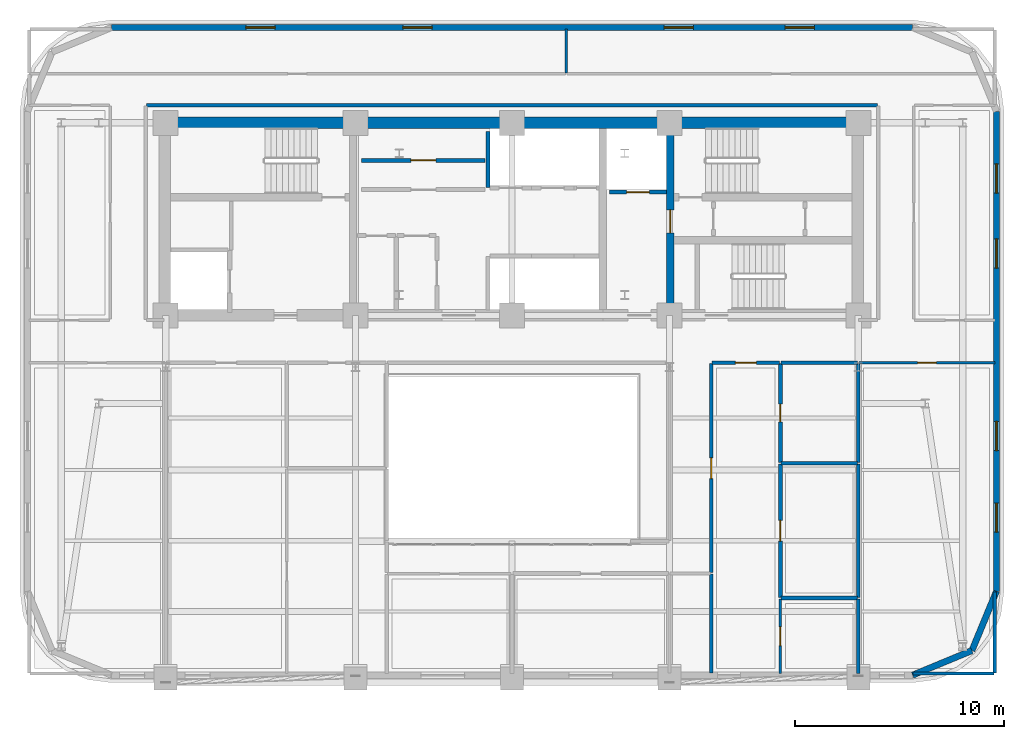
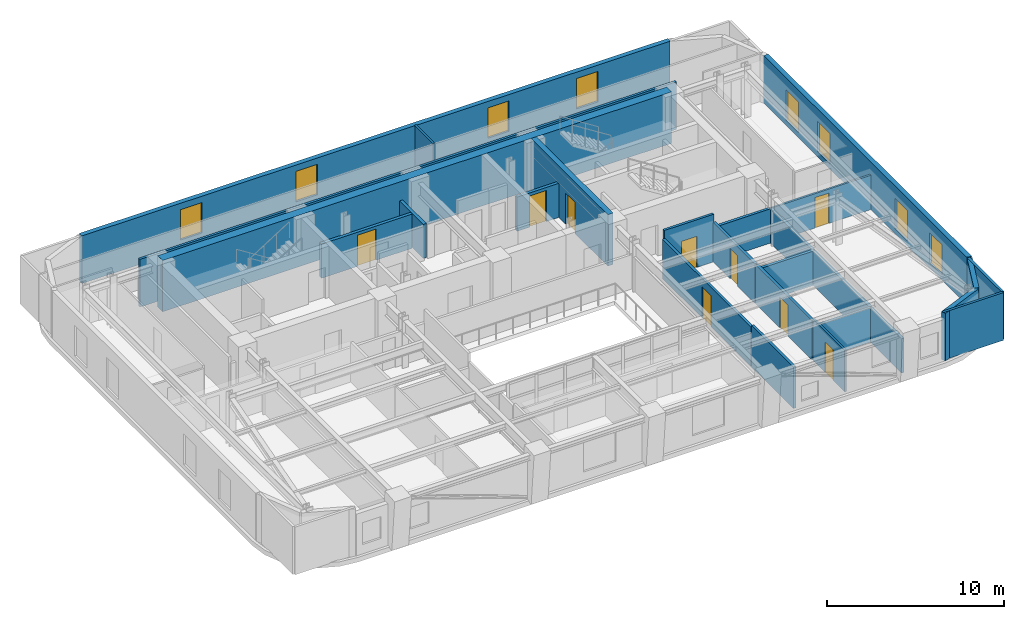
# One storey, part 8 of 12: 26 walls, 9 doors, 8 windows, 17 openings.
"""IFC4 building model written with IfcOpenShell, lengths in metres."""

from ifc_helpers import new_model, si_unit, direction, frame, frame_2d, origin, place, context, subcontext, project, spatial, rectangle, extrude, material, layer, layer_set, type_object, element, fill, save


model = new_model("IFC4")

# Units and contexts
model_context = context("Model", 3, precision=1e-05, world=origin(), true_north=direction((0.0, 1.0)))
body_context = subcontext(model_context, "Body", "Model", "MODEL_VIEW")
ifc_project = project(units=[si_unit("LENGTHUNIT", "METRE"), si_unit("AREAUNIT", "SQUARE_METRE"), si_unit("VOLUMEUNIT", "CUBIC_METRE"), si_unit("PLANEANGLEUNIT", "RADIAN"), si_unit("MASSUNIT", "GRAM", prefix="KILO")], contexts=[model_context])

# Site, building, storey
site_placement = place(None, origin())
site = spatial("IfcSite", under=ifc_project, at=site_placement, CompositionType="ELEMENT")
building_placement = place(site_placement, origin())
building = spatial("IfcBuilding", under=site, at=building_placement, Name="Zarnavel Station Tower", CompositionType="ELEMENT")
storey_placement = place(building_placement, frame((0.0, 0.0, 173.199951171875)))
storey = spatial("IfcBuildingStorey", under=building, at=storey_placement, Name="L47", CompositionType="ELEMENT", Elevation=173.199951171875)

# Wall, opening, door
ifc_material_1 = material(Name="Concrete C50/60", Category="concrete")
ifc_layer_1 = layer(ifc_material_1, 0.35009765625)
ifc_layer_set_1 = layer_set([ifc_layer_1], Name="CW_350")
wall_type_1 = type_object("IfcWallType", Name="CW_350", PredefinedType="SHEAR", material=ifc_layer_set_1)
wall_1_placement = place(storey_placement, frame((36.3798828125, 28.094970703125, 0.0), z_axis=(0.0, 0.0, 1.0), x_axis=(0.0, 1.0, 0.0)))
wall_1 = element("IfcWall", 1, at=wall_1_placement, inside=storey, type_object=wall_type_1, Name="L47 Rear Core Shear Wall DIV-S2", PredefinedType="SHEAR", context=body_context, shape_type="SweptSolid", body=[
    extrude(rectangle(XDim=8.679931640625, YDim=0.35009765625, at=frame_2d((4.33984375, 0.0))), origin(), (0.0, 0.0, 1.0), 3.550048828125),
])
opening_1_placement = place(wall_1_placement, frame((3.68505859375, 0.0, 0.0)))
opening_1 = element("IfcOpeningElement", 2, at=opening_1_placement, cuts=wall_1, Name="Opening FD01", PredefinedType="OPENING", context=body_context, shape_type="SweptSolid", body=[
    extrude(rectangle(XDim=1.10009765625, YDim=2.14990234375, at=frame_2d((0.550048828125, 1.074951171875))), frame((0.0, 0.18505859375, 0.0), z_axis=(0.0, -1.0, 0.0), x_axis=(1.0, 0.0, 0.0)), (0.0, 0.0, 1.0), 0.3701171875),
])
ifc_material_2 = material(Name="Painted Galvanised Steel and Hardwood Leaf", Category="steel")
door_type_1 = type_object("IfcDoorType", Name="ID_STAIR_1100", OperationType="NOTDEFINED", PredefinedType="DOOR", material=ifc_material_2)
door_1_placement = place(opening_1_placement, origin())
door_1 = element("IfcDoor", 3, at=door_1_placement, inside=storey, type_object=door_type_1, Name="L47 East Stair Vestibule Fire Door", OperationType="SINGLE_SWING_LEFT", OverallHeight=2.14990234375, OverallWidth=1.10009765625, PredefinedType="DOOR", context=body_context, shape_type="SweptSolid", body=[
    extrude(rectangle(XDim=1.10009765625, YDim=2.14990234375, at=frame_2d((0.550048828125, 1.074951171875))), frame((0.0, 0.02490234375, 0.0), z_axis=(0.0, -1.0, 0.0), x_axis=(1.0, 0.0, 0.0)), (0.0, 0.0, 1.0), 0.050048828125),
])
fill(opening_1, door_1)

# Walls
ifc_material_3 = material(Name="Concrete C50/60", Category="concrete")
ifc_layer_2 = layer(ifc_material_3, 0.550048828125)
ifc_layer_set_2 = layer_set([ifc_layer_2], Name="CW_550")
wall_type_2 = type_object("IfcWallType", Name="CW_550", PredefinedType="SHEAR", material=ifc_layer_set_2)
wall_2_placement = place(storey_placement, frame((12.14990234375, 37.050048828125, 0.0), z_axis=(0.0, 0.0, 1.0), x_axis=(1.0, 0.0, 0.0)))
element("IfcWall", 4, at=wall_2_placement, inside=storey, type_object=wall_type_2, Name="L47 Rear Core Shear Wall N", PredefinedType="SHEAR", context=body_context, shape_type="SweptSolid", body=[
    extrude(rectangle(XDim=33.22998046875, YDim=0.550048828125, at=frame_2d((16.614990234375, 0.0))), origin(), (0.0, 0.0, 1.0), 3.550048828125),
])
ifc_material_4 = material(Name="Precast concrete C45/55 (Dark Basalt Finish)", Category="masonry")
ifc_layer_3 = layer(ifc_material_4, 0.300048828125)
ifc_layer_set_3 = layer_set([ifc_layer_3], Name="EW_BASALT_300")
wall_type_3 = type_object("IfcWallType", Name="EW_BASALT_300", PredefinedType="SOLIDWALL", material=ifc_layer_set_3)
wall_3_placement = place(storey_placement, frame((50.842529296875, 11.75732421875, 0.0), z_axis=(0.0, 0.0, 1.0), x_axis=(-0.92389884758, -0.382636798336, 0.0)))
element("IfcWall", 5, at=wall_3_placement, inside=storey, type_object=wall_type_3, Name="L47 Exterior Basalt Masonry Frame Wall 01", PredefinedType="SOLIDWALL", context=body_context, shape_type="SweptSolid", body=[
    extrude(rectangle(XDim=3.07666015625, YDim=0.300048828125, at=frame_2d((1.538330078125, 0.0))), origin(), (0.0, 0.0, 1.0), 3.2900390625),
])
wall_4_placement = place(storey_placement, frame((52.02001953125, 14.60009765625, 0.0), z_axis=(0.0, 0.0, 1.0), x_axis=(-0.382676475685, -0.923882414032, 0.0)))
element("IfcWall", 6, at=wall_4_placement, inside=storey, type_object=wall_type_3, Name="L47 Exterior Basalt Masonry Frame Wall 02", PredefinedType="SOLIDWALL", context=body_context, shape_type="SweptSolid", body=[
    extrude(rectangle(XDim=3.076904296875, YDim=0.300048828125, at=frame_2d((1.53857421875, 0.0))), origin(), (0.0, 0.0, 1.0), 3.2900390625),
])

# Wall, openings, windows
wall_5_placement = place(storey_placement, frame((52.02001953125, 37.60009765625, 0.0), z_axis=(0.0, 0.0, 1.0), x_axis=(0.0, -1.0, 0.0)))
wall_5 = element("IfcWall", 7, at=wall_5_placement, inside=storey, type_object=wall_type_3, Name="L47 Exterior Basalt Masonry Frame Wall 03", PredefinedType="SOLIDWALL", context=body_context, shape_type="SweptSolid", body=[
    extrude(rectangle(XDim=23.0, YDim=0.300048828125, at=frame_2d((11.5, 0.0))), origin(), (0.0, 0.0, 1.0), 3.2900390625),
])
opening_2_placement = place(wall_5_placement, frame((2.51318359375, 0.0, 0.340087890625)))
opening_2 = element("IfcOpeningElement", 8, at=opening_2_placement, cuts=wall_5, Name="Opening WN04", PredefinedType="OPENING", context=body_context, shape_type="SweptSolid", body=[
    extrude(rectangle(XDim=1.39990234375, YDim=2.10009765625, at=frame_2d((0.699951171875, 1.050048828125))), frame((0.0, 0.159912109375, 0.0), z_axis=(0.0, -1.0, 0.0), x_axis=(1.0, 0.0, 0.0)), (0.0, 0.0, 1.0), 0.320068359375),
])
opening_3_placement = place(wall_5_placement, frame((6.106689453125, 0.0, 0.340087890625)))
opening_3 = element("IfcOpeningElement", 9, at=opening_3_placement, cuts=wall_5, Name="Opening WN04", PredefinedType="OPENING", context=body_context, shape_type="SweptSolid", body=[
    extrude(rectangle(XDim=1.39990234375, YDim=2.10009765625, at=frame_2d((0.699951171875, 1.050048828125))), frame((0.0, 0.159912109375, 0.0), z_axis=(0.0, -1.0, 0.0), x_axis=(1.0, 0.0, 0.0)), (0.0, 0.0, 1.0), 0.320068359375),
])
opening_4_placement = place(wall_5_placement, frame((14.860107421875, 0.0, 0.340087890625)))
opening_4 = element("IfcOpeningElement", 10, at=opening_4_placement, cuts=wall_5, Name="Opening WN04", PredefinedType="OPENING", context=body_context, shape_type="SweptSolid", body=[
    extrude(rectangle(XDim=1.39990234375, YDim=2.10009765625, at=frame_2d((0.699951171875, 1.050048828125))), frame((0.0, 0.159912109375, 0.0), z_axis=(0.0, -1.0, 0.0), x_axis=(1.0, 0.0, 0.0)), (0.0, 0.0, 1.0), 0.320068359375),
])
opening_5_placement = place(wall_5_placement, frame((18.77001953125, 0.0, 0.340087890625)))
opening_5 = element("IfcOpeningElement", 11, at=opening_5_placement, cuts=wall_5, Name="Opening WN04", PredefinedType="OPENING", context=body_context, shape_type="SweptSolid", body=[
    extrude(rectangle(XDim=1.39990234375, YDim=2.10009765625, at=frame_2d((0.699951171875, 1.050048828125))), frame((0.0, 0.159912109375, 0.0), z_axis=(0.0, -1.0, 0.0), x_axis=(1.0, 0.0, 0.0)), (0.0, 0.0, 1.0), 0.320068359375),
])
ifc_material_5 = material(Name="Thermally Broken Black Aluminium and Low-E Dark Glass", Category="aluminium")
window_type = type_object("IfcWindowType", Name="WN_1400x2100", PartitioningType="DOUBLE_PANEL_VERTICAL", PredefinedType="WINDOW", material=ifc_material_5)
window_1_placement = place(opening_2_placement, origin())
window_1 = element("IfcWindow", 12, at=window_1_placement, inside=storey, type_object=window_type, Name="L47 Recessed Facade Window 01", OverallHeight=2.10009765625, OverallWidth=1.39990234375, PartitioningType="SINGLE_PANEL", PredefinedType="WINDOW", context=body_context, shape_type="SweptSolid", body=[
    extrude(rectangle(XDim=1.39990234375, YDim=2.10009765625, at=frame_2d((0.699951171875, 1.050048828125))), frame((0.0, 0.030029296875, 0.0), z_axis=(0.0, -1.0, 0.0), x_axis=(1.0, 0.0, 0.0)), (0.0, 0.0, 1.0), 0.06005859375),
])
fill(opening_2, window_1)
window_2_placement = place(opening_3_placement, origin())
window_2 = element("IfcWindow", 13, at=window_2_placement, inside=storey, type_object=window_type, Name="L47 Recessed Facade Window 02", OverallHeight=2.10009765625, OverallWidth=1.39990234375, PartitioningType="SINGLE_PANEL", PredefinedType="WINDOW", context=body_context, shape_type="SweptSolid", body=[
    extrude(rectangle(XDim=1.39990234375, YDim=2.10009765625, at=frame_2d((0.699951171875, 1.050048828125))), frame((0.0, 0.030029296875, 0.0), z_axis=(0.0, -1.0, 0.0), x_axis=(1.0, 0.0, 0.0)), (0.0, 0.0, 1.0), 0.06005859375),
])
fill(opening_3, window_2)
window_3_placement = place(opening_4_placement, origin())
window_3 = element("IfcWindow", 14, at=window_3_placement, inside=storey, type_object=window_type, Name="L47 Recessed Facade Window 03", OverallHeight=2.10009765625, OverallWidth=1.39990234375, PartitioningType="SINGLE_PANEL", PredefinedType="WINDOW", context=body_context, shape_type="SweptSolid", body=[
    extrude(rectangle(XDim=1.39990234375, YDim=2.10009765625, at=frame_2d((0.699951171875, 1.050048828125))), frame((0.0, 0.030029296875, 0.0), z_axis=(0.0, -1.0, 0.0), x_axis=(1.0, 0.0, 0.0)), (0.0, 0.0, 1.0), 0.06005859375),
])
fill(opening_4, window_3)
window_4_placement = place(opening_5_placement, origin())
window_4 = element("IfcWindow", 15, at=window_4_placement, inside=storey, type_object=window_type, Name="L47 Recessed Facade Window 04", OverallHeight=2.10009765625, OverallWidth=1.39990234375, PartitioningType="SINGLE_PANEL", PredefinedType="WINDOW", context=body_context, shape_type="SweptSolid", body=[
    extrude(rectangle(XDim=1.39990234375, YDim=2.10009765625, at=frame_2d((0.699951171875, 1.050048828125))), frame((0.0, 0.030029296875, 0.0), z_axis=(0.0, -1.0, 0.0), x_axis=(1.0, 0.0, 0.0)), (0.0, 0.0, 1.0), 0.06005859375),
])
fill(opening_5, window_4)

wall_6_placement = place(storey_placement, frame((9.60009765625, 41.6201171875, 0.0), z_axis=(0.0, 0.0, 1.0), x_axis=(1.0, 0.0, 0.0)))
wall_6 = element("IfcWall", 16, at=wall_6_placement, inside=storey, type_object=wall_type_3, Name="L47 Exterior Basalt Masonry Frame Wall 06", PredefinedType="SOLIDWALL", context=body_context, shape_type="SweptSolid", body=[
    extrude(rectangle(XDim=38.39990234375, YDim=0.300048828125, at=frame_2d((19.199951171875, 0.0))), origin(), (0.0, 0.0, 1.0), 3.2900390625),
])
opening_6_placement = place(wall_6_placement, frame((6.44677734375, 0.0, 0.75)))
opening_6 = element("IfcOpeningElement", 17, at=opening_6_placement, cuts=wall_6, Name="Opening WN04", PredefinedType="OPENING", context=body_context, shape_type="SweptSolid", body=[
    extrude(rectangle(XDim=1.39990234375, YDim=2.10009765625, at=frame_2d((0.699951171875, 1.050048828125))), frame((0.0, 0.159912109375, 0.0), z_axis=(0.0, -1.0, 0.0), x_axis=(1.0, 0.0, 0.0)), (0.0, 0.0, 1.0), 0.320068359375),
])
opening_7_placement = place(wall_6_placement, frame((13.973388671875, 0.0, 0.75)))
opening_7 = element("IfcOpeningElement", 18, at=opening_7_placement, cuts=wall_6, Name="Opening WN04", PredefinedType="OPENING", context=body_context, shape_type="SweptSolid", body=[
    extrude(rectangle(XDim=1.39990234375, YDim=2.10009765625, at=frame_2d((0.699951171875, 1.050048828125))), frame((0.0, 0.159912109375, 0.0), z_axis=(0.0, -1.0, 0.0), x_axis=(1.0, 0.0, 0.0)), (0.0, 0.0, 1.0), 0.320068359375),
])
opening_8_placement = place(wall_6_placement, frame((26.493408203125, 0.0, 0.75)))
opening_8 = element("IfcOpeningElement", 19, at=opening_8_placement, cuts=wall_6, Name="Opening WN04", PredefinedType="OPENING", context=body_context, shape_type="SweptSolid", body=[
    extrude(rectangle(XDim=1.39990234375, YDim=2.10009765625, at=frame_2d((0.699951171875, 1.050048828125))), frame((0.0, 0.159912109375, 0.0), z_axis=(0.0, -1.0, 0.0), x_axis=(1.0, 0.0, 0.0)), (0.0, 0.0, 1.0), 0.320068359375),
])
opening_9_placement = place(wall_6_placement, frame((32.28662109375, 0.0, 0.75)))
opening_9 = element("IfcOpeningElement", 20, at=opening_9_placement, cuts=wall_6, Name="Opening WN04", PredefinedType="OPENING", context=body_context, shape_type="SweptSolid", body=[
    extrude(rectangle(XDim=1.39990234375, YDim=2.10009765625, at=frame_2d((0.699951171875, 1.050048828125))), frame((0.0, 0.159912109375, 0.0), z_axis=(0.0, -1.0, 0.0), x_axis=(1.0, 0.0, 0.0)), (0.0, 0.0, 1.0), 0.320068359375),
])
window_5_placement = place(opening_6_placement, origin())
window_5 = element("IfcWindow", 21, at=window_5_placement, inside=storey, type_object=window_type, Name="L47 Recessed Facade Window 01", OverallHeight=2.10009765625, OverallWidth=1.39990234375, PartitioningType="SINGLE_PANEL", PredefinedType="WINDOW", context=body_context, shape_type="SweptSolid", body=[
    extrude(rectangle(XDim=1.39990234375, YDim=2.10009765625, at=frame_2d((0.699951171875, 1.050048828125))), frame((0.0, 0.030029296875, 0.0), z_axis=(0.0, -1.0, 0.0), x_axis=(1.0, 0.0, 0.0)), (0.0, 0.0, 1.0), 0.06005859375),
])
fill(opening_6, window_5)
window_6_placement = place(opening_7_placement, origin())
window_6 = element("IfcWindow", 22, at=window_6_placement, inside=storey, type_object=window_type, Name="L47 Recessed Facade Window 02", OverallHeight=2.10009765625, OverallWidth=1.39990234375, PartitioningType="SINGLE_PANEL", PredefinedType="WINDOW", context=body_context, shape_type="SweptSolid", body=[
    extrude(rectangle(XDim=1.39990234375, YDim=2.10009765625, at=frame_2d((0.699951171875, 1.050048828125))), frame((0.0, 0.030029296875, 0.0), z_axis=(0.0, -1.0, 0.0), x_axis=(1.0, 0.0, 0.0)), (0.0, 0.0, 1.0), 0.06005859375),
])
fill(opening_7, window_6)
window_7_placement = place(opening_8_placement, origin())
window_7 = element("IfcWindow", 23, at=window_7_placement, inside=storey, type_object=window_type, Name="L47 Recessed Facade Window 03", OverallHeight=2.10009765625, OverallWidth=1.39990234375, PartitioningType="SINGLE_PANEL", PredefinedType="WINDOW", context=body_context, shape_type="SweptSolid", body=[
    extrude(rectangle(XDim=1.39990234375, YDim=2.10009765625, at=frame_2d((0.699951171875, 1.050048828125))), frame((0.0, 0.030029296875, 0.0), z_axis=(0.0, -1.0, 0.0), x_axis=(1.0, 0.0, 0.0)), (0.0, 0.0, 1.0), 0.06005859375),
])
fill(opening_8, window_7)
window_8_placement = place(opening_9_placement, origin())
window_8 = element("IfcWindow", 24, at=window_8_placement, inside=storey, type_object=window_type, Name="L47 Recessed Facade Window 04", OverallHeight=2.10009765625, OverallWidth=1.39990234375, PartitioningType="SINGLE_PANEL", PredefinedType="WINDOW", context=body_context, shape_type="SweptSolid", body=[
    extrude(rectangle(XDim=1.39990234375, YDim=2.10009765625, at=frame_2d((0.699951171875, 1.050048828125))), frame((0.0, 0.030029296875, 0.0), z_axis=(0.0, -1.0, 0.0), x_axis=(1.0, 0.0, 0.0)), (0.0, 0.0, 1.0), 0.06005859375),
])
fill(opening_9, window_8)

# Wall, opening, door
ifc_material_6 = material(Name="Gypsum Twin-Stud Acoustic Fire Partition", Category="concrete")
ifc_layer_4 = layer(ifc_material_6, 0.159912109375)
ifc_layer_set_4 = layer_set([ifc_layer_4], Name="PT_DEMISE_160")
wall_type_4 = type_object("IfcWallType", Name="PT_DEMISE_160", PredefinedType="PARTITIONING", material=ifc_layer_set_4)
wall_7_placement = place(storey_placement, frame((38.389892578125, 25.550048828125, 0.0), z_axis=(0.0, 0.0, 1.0), x_axis=(1.0, 0.0, 0.0)))
wall_7 = element("IfcWall", 25, at=wall_7_placement, inside=storey, type_object=wall_type_4, Name="L47 Partition COR-S-UE1LV", PredefinedType="PARTITIONING", context=body_context, shape_type="SweptSolid", body=[
    extrude(rectangle(XDim=3.233154296875, YDim=0.159912109375, at=frame_2d((1.61669921875, 0.0))), origin(), (0.0, 0.0, 1.0), 3.2900390625),
])
opening_10_placement = place(wall_7_placement, frame((1.116455078125, 0.0, 0.0)))
opening_10 = element("IfcOpeningElement", 26, at=opening_10_placement, cuts=wall_7, Name="Opening FD02", PredefinedType="OPENING", context=body_context, shape_type="SweptSolid", body=[
    extrude(rectangle(XDim=1.0, YDim=2.14990234375, at=frame_2d((0.5, 1.074951171875))), frame((0.0, 0.08984375, 0.0), z_axis=(0.0, -1.0, 0.0), x_axis=(1.0, 0.0, 0.0)), (0.0, 0.0, 1.0), 0.179931640625),
])
ifc_material_7 = material(Name="Painted Galvanised Steel and Hardwood Leaf", Category="steel")
door_type_2 = type_object("IfcDoorType", Name="ID_ENTRY_1000", OperationType="NOTDEFINED", PredefinedType="DOOR", material=ifc_material_7)
door_2_placement = place(opening_10_placement, origin())
door_2 = element("IfcDoor", 27, at=door_2_placement, inside=storey, type_object=door_type_2, Name="L47 Door COR-S-UE1LV", OperationType="SINGLE_SWING_LEFT", OverallHeight=2.14990234375, OverallWidth=1.0, PredefinedType="DOOR", context=body_context, shape_type="SweptSolid", body=[
    extrude(rectangle(XDim=1.0, YDim=2.14990234375, at=frame_2d((0.5, 1.074951171875))), frame((0.0, 0.02490234375, 0.0), z_axis=(0.0, -1.0, 0.0), x_axis=(1.0, 0.0, 0.0)), (0.0, 0.0, 1.0), 0.050048828125),
])
fill(opening_10, door_2)

wall_8_placement = place(storey_placement, frame((38.35009765625, 15.489990234375, 0.0), z_axis=(0.0, 0.0, 1.0), x_axis=(0.0, 1.0, 0.0)))
wall_8 = element("IfcWall", 28, at=wall_8_placement, inside=storey, type_object=wall_type_4, Name="L47 Partition COR-AE-UE1LV", PredefinedType="PARTITIONING", context=body_context, shape_type="SweptSolid", body=[
    extrude(rectangle(XDim=10.02001953125, YDim=0.159912109375, at=frame_2d((5.010009765625, 0.0))), origin(), (0.0, 0.0, 1.0), 2.719970703125),
])
opening_11_placement = place(wall_8_placement, frame((4.510009765625, 0.0, 0.0)))
opening_11 = element("IfcOpeningElement", 29, at=opening_11_placement, cuts=wall_8, Name="Opening FD02", PredefinedType="OPENING", context=body_context, shape_type="SweptSolid", body=[
    extrude(rectangle(XDim=1.0, YDim=2.14990234375, at=frame_2d((0.5, 1.074951171875))), frame((0.0, 0.08984375, 0.0), z_axis=(0.0, -1.0, 0.0), x_axis=(1.0, 0.0, 0.0)), (0.0, 0.0, 1.0), 0.179931640625),
])
door_3_placement = place(opening_11_placement, origin())
door_3 = element("IfcDoor", 30, at=door_3_placement, inside=storey, type_object=door_type_2, Name="L47 Door COR-AE-UE1LV", OperationType="SINGLE_SWING_LEFT", OverallHeight=2.14990234375, OverallWidth=1.0, PredefinedType="DOOR", context=body_context, shape_type="SweptSolid", body=[
    extrude(rectangle(XDim=1.0, YDim=2.14990234375, at=frame_2d((0.5, 1.074951171875))), frame((0.0, 0.02490234375, 0.0), z_axis=(0.0, -1.0, 0.0), x_axis=(1.0, 0.0, 0.0)), (0.0, 0.0, 1.0), 0.050048828125),
])
fill(opening_11, door_3)

# Walls
wall_9_placement = place(storey_placement, frame((45.39990234375, 10.659912109375, 0.0), z_axis=(0.0, 0.0, 1.0), x_axis=(0.0, 1.0, 0.0)))
element("IfcWall", 31, at=wall_9_placement, inside=storey, type_object=wall_type_4, Name="L47 Partition UE1B1-L47TEA", PredefinedType="PARTITIONING", context=body_context, shape_type="SweptSolid", body=[
    extrude(rectangle(XDim=3.572998046875, YDim=0.159912109375, at=frame_2d((1.78662109375, 0.0))), origin(), (0.0, 0.0, 1.0), 2.3701171875),
])
wall_10_placement = place(storey_placement, frame((11.280029296875, 37.89990234375, 0.0), z_axis=(0.0, 0.0, 1.0), x_axis=(1.0, 0.0, 0.0)))
element("IfcWall", 32, at=wall_10_placement, inside=storey, type_object=wall_type_4, Name="L47 Enclosure Wall COR-N", PredefinedType="PARTITIONING", context=body_context, shape_type="SweptSolid", body=[
    extrude(rectangle(XDim=35.0400390625, YDim=0.159912109375, at=frame_2d((17.52001953125, 0.0))), origin(), (0.0, 0.0, 1.0), 3.2900390625),
])
wall_11_placement = place(storey_placement, frame((38.35009765625, 10.68994140625, 0.0), z_axis=(0.0, 0.0, 1.0), x_axis=(0.0, 1.0, 0.0)))
element("IfcWall", 33, at=wall_11_placement, inside=storey, type_object=wall_type_4, Name="L47 Enclosure Wall UE1LV", PredefinedType="PARTITIONING", context=body_context, shape_type="SweptSolid", body=[
    extrude(rectangle(XDim=4.72998046875, YDim=0.159912109375, at=frame_2d((2.364990234375, 0.0))), origin(), (0.0, 0.0, 1.0), 2.880126953125),
])
wall_12_placement = place(storey_placement, frame((48.030029296875, 10.659912109375, 0.0), z_axis=(0.0, 0.0, 1.0), x_axis=(1.0, 0.0, 0.0)))
element("IfcWall", 34, at=wall_12_placement, inside=storey, type_object=wall_type_4, Name="L47 Enclosure Wall L47TEA", PredefinedType="PARTITIONING", context=body_context, shape_type="SweptSolid", body=[
    extrude(rectangle(XDim=3.8798828125, YDim=0.159912109375, at=frame_2d((1.93994140625, 0.0))), origin(), (0.0, 0.0, 1.0), 3.2900390625),
])
wall_13_placement = place(storey_placement, frame((51.93994140625, 10.68994140625, 0.0), z_axis=(0.0, 0.0, 1.0), x_axis=(0.0, 1.0, 0.0)))
element("IfcWall", 35, at=wall_13_placement, inside=storey, type_object=wall_type_4, Name="L47 Enclosure Wall L47TEA", PredefinedType="PARTITIONING", context=body_context, shape_type="SweptSolid", body=[
    extrude(rectangle(XDim=3.880126953125, YDim=0.159912109375, at=frame_2d((1.93994140625, 0.0))), origin(), (0.0, 0.0, 1.0), 3.2900390625),
])

# Wall, opening, door
ifc_material_8 = material(Name="Gypsum Metal-Stud Interior Partition", Category="concrete")
ifc_layer_5 = layer(ifc_material_8, 0.1201171875)
ifc_layer_set_5 = layer_set([ifc_layer_5], Name="PT_ROOM_120")
wall_type_5 = type_object("IfcWallType", Name="PT_ROOM_120", PredefinedType="PARTITIONING", material=ifc_layer_set_5)
wall_14_placement = place(storey_placement, frame((45.43994140625, 25.550048828125, 0.0), z_axis=(0.0, 0.0, 1.0), x_axis=(1.0, 0.0, 0.0)))
wall_14 = element("IfcWall", 36, at=wall_14_placement, inside=storey, type_object=wall_type_5, Name="L47 Partition COR-S-L47TEA", PredefinedType="PARTITIONING", context=body_context, shape_type="SweptSolid", body=[
    extrude(rectangle(XDim=6.5, YDim=0.1201171875, at=frame_2d((3.25, 0.0))), origin(), (0.0, 0.0, 1.0), 2.3701171875),
])
opening_12_placement = place(wall_14_placement, frame((2.800048828125, 0.0, 0.0)))
opening_12 = element("IfcOpeningElement", 37, at=opening_12_placement, cuts=wall_14, Name="Opening ID01", PredefinedType="OPENING", context=body_context, shape_type="SweptSolid", body=[
    extrude(rectangle(XDim=0.89990234375, YDim=2.10009765625, at=frame_2d((0.449951171875, 1.050048828125))), frame((0.0, 0.070068359375, 0.0), z_axis=(0.0, -1.0, 0.0), x_axis=(1.0, 0.0, 0.0)), (0.0, 0.0, 1.0), 0.14013671875),
])
ifc_material_9 = material(Name="Painted Galvanised Steel and Hardwood Leaf", Category="steel")
door_type_3 = type_object("IfcDoorType", Name="ID_ROOM_900", OperationType="NOTDEFINED", PredefinedType="DOOR", material=ifc_material_9)
door_4_placement = place(opening_12_placement, origin())
door_4 = element("IfcDoor", 38, at=door_4_placement, inside=storey, type_object=door_type_3, Name="L47 Door COR-S-L47TEA", OperationType="SINGLE_SWING_RIGHT", OverallHeight=2.10009765625, OverallWidth=0.89990234375, PredefinedType="DOOR", context=body_context, shape_type="SweptSolid", body=[
    extrude(rectangle(XDim=0.89990234375, YDim=2.10009765625, at=frame_2d((0.449951171875, 1.050048828125))), frame((0.0, 0.02490234375, 0.0), z_axis=(0.0, -1.0, 0.0), x_axis=(1.0, 0.0, 0.0)), (0.0, 0.0, 1.0), 0.050048828125),
])
fill(opening_12, door_4)

# Wall
wall_15_placement = place(storey_placement, frame((31.39990234375, 39.43994140625, 0.0), z_axis=(0.0, 0.0, 1.0), x_axis=(0.0, 1.0, 0.0)))
element("IfcWall", 39, at=wall_15_placement, inside=storey, type_object=wall_type_5, Name="L47 Partition NGYM-NBRD", PredefinedType="PARTITIONING", context=body_context, shape_type="SweptSolid", body=[
    extrude(rectangle(XDim=2.10009765625, YDim=0.1201171875, at=frame_2d((1.050048828125, 0.0))), origin(), (0.0, 0.0, 1.0), 3.2900390625),
])

# Wall, opening, door
wall_16_placement = place(storey_placement, frame((41.6630859375, 10.659912109375, 0.0), z_axis=(0.0, 0.0, 1.0), x_axis=(0.0, 1.0, 0.0)))
wall_16 = element("IfcWall", 40, at=wall_16_placement, inside=storey, type_object=wall_type_5, Name="L47 Partition UE1LV-UE1B1", PredefinedType="PARTITIONING", context=body_context, shape_type="SweptSolid", body=[
    extrude(rectangle(XDim=3.572998046875, YDim=0.1201171875, at=frame_2d((1.78662109375, 0.0))), origin(), (0.0, 0.0, 1.0), 2.880126953125),
])
opening_13_placement = place(wall_16_placement, frame((1.33642578125, 0.0, 0.0)))
opening_13 = element("IfcOpeningElement", 41, at=opening_13_placement, cuts=wall_16, Name="Opening ID01", PredefinedType="OPENING", context=body_context, shape_type="SweptSolid", body=[
    extrude(rectangle(XDim=0.89990234375, YDim=2.10009765625, at=frame_2d((0.449951171875, 1.050048828125))), frame((0.0, 0.070068359375, 0.0), z_axis=(0.0, -1.0, 0.0), x_axis=(1.0, 0.0, 0.0)), (0.0, 0.0, 1.0), 0.14013671875),
])
door_5_placement = place(opening_13_placement, origin())
door_5 = element("IfcDoor", 42, at=door_5_placement, inside=storey, type_object=door_type_3, Name="L47 Door UE1LV-UE1B1", OperationType="SINGLE_SWING_LEFT", OverallHeight=2.10009765625, OverallWidth=0.89990234375, PredefinedType="DOOR", context=body_context, shape_type="SweptSolid", body=[
    extrude(rectangle(XDim=0.89990234375, YDim=2.10009765625, at=frame_2d((0.449951171875, 1.050048828125))), frame((0.0, 0.02490234375, 0.0), z_axis=(0.0, -1.0, 0.0), x_axis=(1.0, 0.0, 0.0)), (0.0, 0.0, 1.0), 0.050048828125),
])
fill(opening_13, door_5)

ifc_material_10 = material(Name="Precast concrete C45/55 (Fire Shaft Blockwork)", Category="masonry")
ifc_layer_6 = layer(ifc_material_10, 0.199951171875)
ifc_layer_set_6 = layer_set([ifc_layer_6], Name="PT_SHAFT_200")
wall_type_6 = type_object("IfcWallType", Name="PT_SHAFT_200", PredefinedType="PARTITIONING", material=ifc_layer_set_6)
wall_17_placement = place(storey_placement, frame((33.47509765625, 33.72998046875, 0.0), z_axis=(0.0, 0.0, 1.0), x_axis=(1.0, 0.0, 0.0)))
wall_17 = element("IfcWall", 43, at=wall_17_placement, inside=storey, type_object=wall_type_6, Name="L47 Lift FFL-02 Shaft Front Wall", PredefinedType="PARTITIONING", context=body_context, shape_type="SweptSolid", body=[
    extrude(rectangle(XDim=2.724853515625, YDim=0.199951171875, at=frame_2d((1.3623046875, 0.0))), origin(), (0.0, 0.0, 1.0), 2.360107421875),
])
opening_14_placement = place(wall_17_placement, frame((0.8125, 0.0, 0.0)))
opening_14 = element("IfcOpeningElement", 44, at=opening_14_placement, cuts=wall_17, Name="Opening LD01", PredefinedType="OPENING", context=body_context, shape_type="SweptSolid", body=[
    extrude(rectangle(XDim=1.10009765625, YDim=2.14990234375, at=frame_2d((0.550048828125, 1.074951171875))), frame((0.0, 0.10986328125, 0.0), z_axis=(0.0, -1.0, 0.0), x_axis=(1.0, 0.0, 0.0)), (0.0, 0.0, 1.0), 0.219970703125),
])
ifc_material_11 = material(Name="Painted Galvanised Steel and Hardwood Leaf", Category="steel")
door_type_4 = type_object("IfcDoorType", Name="LD_FF_1100", OperationType="DOUBLE_DOOR_SLIDING", PredefinedType="DOOR", material=ifc_material_11)
door_6_placement = place(opening_14_placement, origin())
door_6 = element("IfcDoor", 45, at=door_6_placement, inside=storey, type_object=door_type_4, Name="L47 Lift FFL-02 Sliding Landing Door", OperationType="DOUBLE_DOOR_SLIDING", OverallHeight=2.14990234375, OverallWidth=1.10009765625, PredefinedType="DOOR", context=body_context, shape_type="SweptSolid", body=[
    extrude(rectangle(XDim=1.10009765625, YDim=2.14990234375, at=frame_2d((0.550048828125, 1.074951171875))), frame((0.0, 0.02490234375, 0.0), z_axis=(0.0, -1.0, 0.0), x_axis=(1.0, 0.0, 0.0)), (0.0, 0.0, 1.0), 0.050048828125),
])
fill(opening_14, door_6)

# Wall
wall_18_placement = place(storey_placement, frame((27.64990234375, 33.949951171875, 0.0), z_axis=(0.0, 0.0, 1.0), x_axis=(0.0, 1.0, 0.0)))
element("IfcWall", 46, at=wall_18_placement, inside=storey, type_object=wall_type_6, Name="L47 Mid-Rise Lift Bank West Shaft Wall", PredefinedType="PARTITIONING", context=body_context, shape_type="SweptSolid", body=[
    extrude(rectangle(XDim=2.679931640625, YDim=0.199951171875, at=frame_2d((1.33984375, 0.0))), origin(), (0.0, 0.0, 1.0), 2.360107421875),
])

# Wall, opening, door
wall_19_placement = place(storey_placement, frame((21.590087890625, 35.25, 0.0), z_axis=(0.0, 0.0, 1.0), x_axis=(1.0, 0.0, 0.0)))
wall_19 = element("IfcWall", 47, at=wall_19_placement, inside=storey, type_object=wall_type_6, Name="L47 Partition FB1A-FB1B", PredefinedType="PARTITIONING", context=body_context, shape_type="SweptSolid", body=[
    extrude(rectangle(XDim=5.919921875, YDim=0.199951171875, at=frame_2d((2.9599609375, 0.0))), origin(), (0.0, 0.0, 1.0), 2.360107421875),
])
opening_15_placement = place(wall_19_placement, frame((2.360107421875, 0.0, 0.0)))
opening_15 = element("IfcOpeningElement", 48, at=opening_15_placement, cuts=wall_19, Name="Opening FD03", PredefinedType="OPENING", context=body_context, shape_type="SweptSolid", body=[
    extrude(rectangle(XDim=1.199951171875, YDim=2.14990234375, at=frame_2d((0.60009765625, 1.074951171875))), frame((0.0, 0.10986328125, 0.0), z_axis=(0.0, -1.0, 0.0), x_axis=(1.0, 0.0, 0.0)), (0.0, 0.0, 1.0), 0.219970703125),
])
ifc_material_12 = material(Name="Painted Galvanised Steel and Hardwood Leaf", Category="steel")
door_type_5 = type_object("IfcDoorType", Name="ID_PLANT_1200", OperationType="NOTDEFINED", PredefinedType="DOOR", material=ifc_material_12)
door_7_placement = place(opening_15_placement, origin())
door_7 = element("IfcDoor", 49, at=door_7_placement, inside=storey, type_object=door_type_5, Name="L47 Door FB1A-FB1B", OperationType="SINGLE_SWING_LEFT", OverallHeight=2.14990234375, OverallWidth=1.199951171875, PredefinedType="DOOR", context=body_context, shape_type="SweptSolid", body=[
    extrude(rectangle(XDim=1.199951171875, YDim=2.14990234375, at=frame_2d((0.60009765625, 1.074951171875))), frame((0.0, 0.02490234375, 0.0), z_axis=(0.0, -1.0, 0.0), x_axis=(1.0, 0.0, 0.0)), (0.0, 0.0, 1.0), 0.050048828125),
])
fill(opening_15, door_7)

# Wall
ifc_material_13 = material(Name="Moisture-Resistant Plumbing Chase Wall", Category="concrete")
ifc_layer_7 = layer(ifc_material_13, 0.179931640625)
ifc_layer_set_7 = layer_set([ifc_layer_7], Name="PW_PLUMB_180")
wall_type_7 = type_object("IfcWallType", Name="PW_PLUMB_180", PredefinedType="PLUMBINGWALL", material=ifc_layer_set_7)
wall_20_placement = place(storey_placement, frame((41.702880859375, 25.550048828125, 0.0), z_axis=(0.0, 0.0, 1.0), x_axis=(1.0, 0.0, 0.0)))
element("IfcWall", 50, at=wall_20_placement, inside=storey, type_object=wall_type_7, Name="L47 Partition COR-S-UE1BA", PredefinedType="PLUMBINGWALL", context=body_context, shape_type="SweptSolid", body=[
    extrude(rectangle(XDim=3.6572265625, YDim=0.179931640625, at=frame_2d((1.82861328125, 0.0))), origin(), (0.0, 0.0, 1.0), 2.3701171875),
])

# Wall, opening, door
wall_21_placement = place(storey_placement, frame((41.6630859375, 14.31298828125, 0.0), z_axis=(0.0, 0.0, 1.0), x_axis=(0.0, 1.0, 0.0)))
wall_21 = element("IfcWall", 51, at=wall_21_placement, inside=storey, type_object=wall_type_7, Name="L47 Partition UE1LV-UE1KT", PredefinedType="PLUMBINGWALL", context=body_context, shape_type="SweptSolid", body=[
    extrude(rectangle(XDim=6.380126953125, YDim=0.179931640625, at=frame_2d((3.18994140625, 0.0))), origin(), (0.0, 0.0, 1.0), 2.719970703125),
])
opening_16_placement = place(wall_21_placement, frame((2.68994140625, 0.0, 0.0)))
opening_16 = element("IfcOpeningElement", 52, at=opening_16_placement, cuts=wall_21, Name="Opening FD02", PredefinedType="OPENING", context=body_context, shape_type="SweptSolid", body=[
    extrude(rectangle(XDim=1.0, YDim=2.14990234375, at=frame_2d((0.5, 1.074951171875))), frame((0.0, 0.099853515625, 0.0), z_axis=(0.0, -1.0, 0.0), x_axis=(1.0, 0.0, 0.0)), (0.0, 0.0, 1.0), 0.199951171875),
])
door_8_placement = place(opening_16_placement, origin())
door_8 = element("IfcDoor", 53, at=door_8_placement, inside=storey, type_object=door_type_2, Name="L47 Door UE1LV-UE1KT", OperationType="SINGLE_SWING_RIGHT", OverallHeight=2.14990234375, OverallWidth=1.0, PredefinedType="DOOR", context=body_context, shape_type="SweptSolid", body=[
    extrude(rectangle(XDim=1.0, YDim=2.14990234375, at=frame_2d((0.5, 1.074951171875))), frame((0.0, 0.02490234375, 0.0), z_axis=(0.0, -1.0, 0.0), x_axis=(1.0, 0.0, 0.0)), (0.0, 0.0, 1.0), 0.050048828125),
])
fill(opening_16, door_8)

wall_22_placement = place(storey_placement, frame((41.6630859375, 20.77294921875, 0.0), z_axis=(0.0, 0.0, 1.0), x_axis=(0.0, 1.0, 0.0)))
wall_22 = element("IfcWall", 54, at=wall_22_placement, inside=storey, type_object=wall_type_7, Name="L47 Partition UE1LV-UE1BA", PredefinedType="PLUMBINGWALL", context=body_context, shape_type="SweptSolid", body=[
    extrude(rectangle(XDim=4.737060546875, YDim=0.179931640625, at=frame_2d((2.36865234375, 0.0))), origin(), (0.0, 0.0, 1.0), 2.719970703125),
])
opening_17_placement = place(wall_22_placement, frame((1.943603515625, 0.0, 0.0)))
opening_17 = element("IfcOpeningElement", 55, at=opening_17_placement, cuts=wall_22, Name="Opening ID02", PredefinedType="OPENING", context=body_context, shape_type="SweptSolid", body=[
    extrude(rectangle(XDim=0.85009765625, YDim=2.10009765625, at=frame_2d((0.425048828125, 1.050048828125))), frame((0.0, 0.099853515625, 0.0), z_axis=(0.0, -1.0, 0.0), x_axis=(1.0, 0.0, 0.0)), (0.0, 0.0, 1.0), 0.199951171875),
])
ifc_material_14 = material(Name="Painted Galvanised Steel and Hardwood Leaf", Category="steel")
door_type_6 = type_object("IfcDoorType", Name="ID_BATH_850", OperationType="NOTDEFINED", PredefinedType="DOOR", material=ifc_material_14)
door_9_placement = place(opening_17_placement, origin())
door_9 = element("IfcDoor", 56, at=door_9_placement, inside=storey, type_object=door_type_6, Name="L47 Door UE1LV-UE1BA", OperationType="SINGLE_SWING_LEFT", OverallHeight=2.10009765625, OverallWidth=0.85009765625, PredefinedType="DOOR", context=body_context, shape_type="SweptSolid", body=[
    extrude(rectangle(XDim=0.85009765625, YDim=2.10009765625, at=frame_2d((0.425048828125, 1.050048828125))), frame((0.0, 0.02490234375, 0.0), z_axis=(0.0, -1.0, 0.0), x_axis=(1.0, 0.0, 0.0)), (0.0, 0.0, 1.0), 0.050048828125),
])
fill(opening_17, door_9)

# Walls
for number, where, z_axis, x_axis, name in (
    (57, (41.702880859375, 14.27294921875, 0.0), (0.0, 0.0, 1.0), (1.0, 0.0, 0.0), "L47 Partition UE1B1-UE1KT"),
    (58, (41.702880859375, 20.73291015625, 0.0), (0.0, 0.0, 1.0), (1.0, 0.0, 0.0), "L47 Partition UE1KT-UE1BA"),
):
    element("IfcWall", number, at=place(storey_placement, frame(where, z_axis=z_axis, x_axis=x_axis)), inside=storey, type_object=wall_type_7, Name=name, PredefinedType="PLUMBINGWALL", context=body_context, shape_type="SweptSolid", body=[
        extrude(rectangle(XDim=3.6572265625, YDim=0.179931640625, at=frame_2d((1.82861328125, 0.0))), origin(), (0.0, 0.0, 1.0), 2.3701171875),
    ])
wall_23_placement = place(storey_placement, frame((45.39990234375, 14.31298828125, 0.0), z_axis=(0.0, 0.0, 1.0), x_axis=(0.0, 1.0, 0.0)))
element("IfcWall", 59, at=wall_23_placement, inside=storey, type_object=wall_type_7, Name="L47 Partition UE1KT-L47TEA", PredefinedType="PLUMBINGWALL", context=body_context, shape_type="SweptSolid", body=[
    extrude(rectangle(XDim=6.380126953125, YDim=0.179931640625, at=frame_2d((3.18994140625, 0.0))), origin(), (0.0, 0.0, 1.0), 2.3701171875),
])
wall_24_placement = place(storey_placement, frame((45.39990234375, 20.77294921875, 0.0), z_axis=(0.0, 0.0, 1.0), x_axis=(0.0, 1.0, 0.0)))
element("IfcWall", 60, at=wall_24_placement, inside=storey, type_object=wall_type_7, Name="L47 Partition UE1BA-L47TEA", PredefinedType="PLUMBINGWALL", context=body_context, shape_type="SweptSolid", body=[
    extrude(rectangle(XDim=4.737060546875, YDim=0.179931640625, at=frame_2d((2.36865234375, 0.0))), origin(), (0.0, 0.0, 1.0), 2.3701171875),
])

save(model, "model.ifc")
